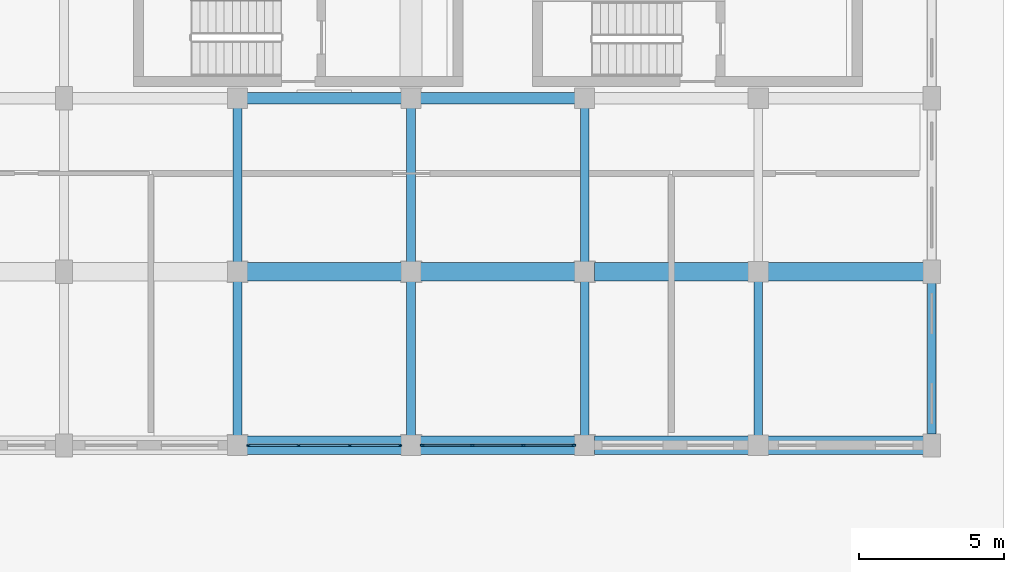
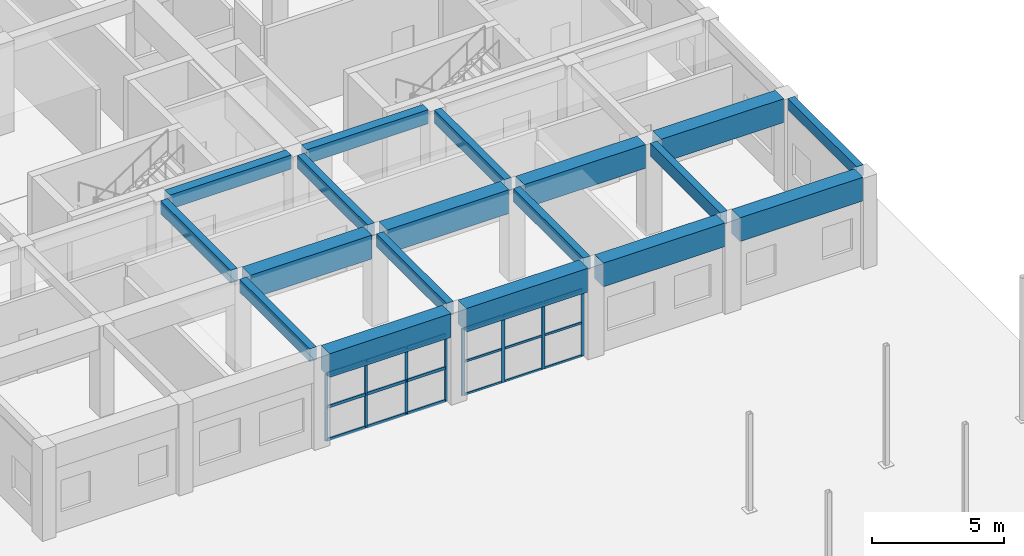
# One storey, part 37 of 76: 26 members, 18 beams, 2 elements without a shape of their own.
"""IFC4 building model written with IfcOpenShell, lengths in metres."""

from ifc_helpers import new_model, si_unit, direction, frame, origin, origin_2d, place, context, subcontext, project, spatial, rectangle, extrude, material, layer, layer_set, material_profile, profile_set, type_object, element, aggregate, save


model = new_model("IFC4")

# Units and contexts
model_context = context("Model", 3, precision=1e-05, world=origin(), true_north=direction((0.0, 1.0)))
body_context = subcontext(model_context, "Body", "Model", "MODEL_VIEW")
ifc_project = project(units=[si_unit("LENGTHUNIT", "METRE"), si_unit("AREAUNIT", "SQUARE_METRE"), si_unit("VOLUMEUNIT", "CUBIC_METRE"), si_unit("PLANEANGLEUNIT", "RADIAN"), si_unit("MASSUNIT", "GRAM", prefix="KILO"), si_unit("POWERUNIT", "WATT"), si_unit("THERMODYNAMICTEMPERATUREUNIT", "KELVIN")], contexts=[model_context])

# Site, building, storey
site_placement = place(None, origin())
site = spatial("IfcSite", under=ifc_project, at=site_placement, CompositionType="ELEMENT")
building_placement = place(site_placement, origin())
building = spatial("IfcBuilding", under=site, at=building_placement, Name="Ruvembo Vaulted Housing Court", CompositionType="ELEMENT")
storey_placement = place(building_placement, origin())
storey = spatial("IfcBuildingStorey", under=building, at=storey_placement, Name="L00", CompositionType="ELEMENT", Elevation=0.0)

# Beams
ifc_material_1 = material(Name="Concrete C35/45", Category="concrete")
ifc_material_profile_1 = material_profile(ifc_material_1, rectangle(XDim=0.300048828125, YDim=0.60009765625, at=origin_2d()), Name="RC 300x600")
ifc_profile_set_1 = profile_set([ifc_material_profile_1], Name="Concrete C35/45")
beam_type_1 = type_object("IfcBeamType", Name="BM-RC-300x600", PredefinedType="BEAM", material=ifc_profile_set_1)
for number, where, z_axis, x_axis, name in (
    (1, (162.0, 72.3349609375, 3.929931640625), (0.0, 1.0, 0.0), (-1.0, 0.0, 0.0), "L00 Grid Beam Y #1097"),
    (2, (162.0, 78.3349609375, 3.929931640625), (0.0, 1.0, 0.0), (-1.0, 0.0, 0.0), "L00 Grid Beam Y #1098"),
    (3, (168.0, 72.3349609375, 3.929931640625), (0.0, 1.0, 0.0), (-1.0, 0.0, 0.0), "L00 Grid Beam Y #1104"),
    (4, (168.0, 78.3349609375, 3.929931640625), (0.0, 1.0, 0.0), (-1.0, 0.0, 0.0), "L00 Grid Beam Y #1105"),
    (5, (174.0, 72.3349609375, 3.929931640625), (0.0, 1.0, 0.0), (-1.0, 0.0, 0.0), "L00 Grid Beam Y #1112"),
    (6, (174.0, 78.3349609375, 3.929931640625), (0.0, 1.0, 0.0), (-1.0, 0.0, 0.0), "L00 Grid Beam Y #1113"),
    (7, (180.0, 72.3349609375, 3.929931640625), (0.0, 1.0, 0.0), (-1.0, 0.0, 0.0), "L00 Grid Beam Y #1119"),
):
    element("IfcBeam", number, at=place(storey_placement, frame(where, z_axis=z_axis, x_axis=x_axis)), inside=storey, type_object=beam_type_1, Name=name, PredefinedType="BEAM", context=body_context, shape_type="SweptSolid", body=[
        extrude(rectangle(XDim=0.300048828125, YDim=0.60009765625, at=origin_2d()), origin(), (0.0, 0.0, 1.0), 5.330078125),
    ])
ifc_material_profile_2 = material_profile(ifc_material_1, rectangle(XDim=0.39990234375, YDim=0.64990234375, at=origin_2d()), Name="RC 400x650")
ifc_profile_set_2 = profile_set([ifc_material_profile_2], Name="Concrete C35/45")
beam_type_2 = type_object("IfcBeamType", Name="BM-RC-400x650", PredefinedType="BEAM", material=ifc_profile_set_2)
for number, where, z_axis, x_axis, name in (
    (8, (162.3349609375, 84.0, 3.905029296875), (1.0, 0.0, 0.0), (0.0, 1.0, 0.0), "L00 Grid Beam X #884"),
    (9, (168.3349609375, 84.0, 3.905029296875), (1.0, 0.0, 0.0), (0.0, 1.0, 0.0), "L00 Grid Beam X #885"),
):
    element("IfcBeam", number, at=place(storey_placement, frame(where, z_axis=z_axis, x_axis=x_axis)), inside=storey, type_object=beam_type_2, Name=name, PredefinedType="BEAM", context=body_context, shape_type="SweptSolid", body=[
        extrude(rectangle(XDim=0.39990234375, YDim=0.64990234375, at=origin_2d()), origin(), (0.0, 0.0, 1.0), 5.330078125),
    ])

# Curtain wall, members
ifc_material_2 = material(Name="Anodised Aluminium and Solar-Control Glass", Category="aluminium")
ifc_layer = layer(ifc_material_2, 0.159912109375, Name="Anodised Aluminium and Solar-Control Glass")
ifc_layer_set = layer_set([ifc_layer], Name="Anodised Aluminium and Solar-Control Glass")
curtain_wall_type = type_object("IfcCurtainWallType", Name="CW-LOBBY", PredefinedType="NOTDEFINED", material=ifc_layer_set)
curtain_wall_1_placement = place(storey_placement, origin())
curtain_wall_1 = element("IfcCurtainWall", 10, at=curtain_wall_1_placement, inside=storey, type_object=curtain_wall_type, Name="L00 Curtain Wall CW-L00-0007", PredefinedType="NOTDEFINED")
ifc_material_3 = material(Name="Anodised Aluminium 6063-T6", Category="aluminium")
ifc_material_profile_3 = material_profile(ifc_material_3, rectangle(XDim=0.054931640625, YDim=0.1201171875, at=origin_2d()), Name="ALU 55x120")
ifc_profile_set_3 = profile_set([ifc_material_profile_3], Name="Anodised Aluminium 6063-T6")
member_type_1 = type_object("IfcMemberType", Name="CW-MUL-55x120", PredefinedType="MULLION", material=ifc_profile_set_3)
member_1_placement = place(storey_placement, frame((162.37744140625, 72.0, 0.0), z_axis=(0.0, 0.0, 1.0), x_axis=(0.0, 1.0, 0.0)))
member_1 = element("IfcMember", 11, at=member_1_placement, type_object=member_type_1, Name="CW5 mullion 1", PredefinedType="MULLION", context=body_context, shape_type="SweptSolid", body=[
    extrude(rectangle(XDim=0.054931640625, YDim=0.1201171875, at=origin_2d()), origin(), (0.0, 0.0, 1.0), 3.112060546875),
])
member_2_placement = place(storey_placement, frame((164.11669921875, 72.0, 0.0), z_axis=(0.0, 0.0, 1.0), x_axis=(0.0, 1.0, 0.0)))
member_2 = element("IfcMember", 12, at=member_2_placement, type_object=member_type_1, Name="CW5 mullion 2", PredefinedType="MULLION", context=body_context, shape_type="SweptSolid", body=[
    extrude(rectangle(XDim=0.054931640625, YDim=0.1201171875, at=origin_2d()), origin(), (0.0, 0.0, 1.0), 3.112060546875),
])
member_3_placement = place(storey_placement, frame((165.88330078125, 72.0, 0.0), z_axis=(0.0, 0.0, 1.0), x_axis=(0.0, 1.0, 0.0)))
member_3 = element("IfcMember", 13, at=member_3_placement, type_object=member_type_1, Name="CW5 mullion 3", PredefinedType="MULLION", context=body_context, shape_type="SweptSolid", body=[
    extrude(rectangle(XDim=0.054931640625, YDim=0.1201171875, at=origin_2d()), origin(), (0.0, 0.0, 1.0), 3.112060546875),
])
member_4_placement = place(storey_placement, frame((167.62255859375, 72.0, 0.0), z_axis=(0.0, 0.0, 1.0), x_axis=(0.0, 1.0, 0.0)))
member_4 = element("IfcMember", 14, at=member_4_placement, type_object=member_type_1, Name="CW5 mullion 4", PredefinedType="MULLION", context=body_context, shape_type="SweptSolid", body=[
    extrude(rectangle(XDim=0.054931640625, YDim=0.1201171875, at=origin_2d()), origin(), (0.0, 0.0, 1.0), 3.112060546875),
])

curtain_wall_2_placement = place(storey_placement, origin())
curtain_wall_2 = element("IfcCurtainWall", 15, at=curtain_wall_2_placement, inside=storey, type_object=curtain_wall_type, Name="L00 Curtain Wall CW-L00-0008", PredefinedType="NOTDEFINED")
ifc_material_profile_4 = material_profile(ifc_material_3, rectangle(XDim=0.06005859375, YDim=0.139892578125, at=origin_2d()), Name="ALU 60x140")
ifc_profile_set_4 = profile_set([ifc_material_profile_4], Name="Anodised Aluminium 6063-T6")
member_type_2 = type_object("IfcMemberType", Name="CW-MUL-60x140", PredefinedType="MULLION", material=ifc_profile_set_4)
member_5_placement = place(storey_placement, frame((168.3798828125, 72.0, 0.0), z_axis=(0.0, 0.0, 1.0), x_axis=(0.0, 1.0, 0.0)))
member_5 = element("IfcMember", 16, at=member_5_placement, type_object=member_type_2, Name="CW5 mullion 1", PredefinedType="MULLION", context=body_context, shape_type="SweptSolid", body=[
    extrude(rectangle(XDim=0.06005859375, YDim=0.139892578125, at=origin_2d()), origin(), (0.0, 0.0, 1.0), 3.112060546875),
])
member_6_placement = place(storey_placement, frame((170.11669921875, 72.0, 0.0), z_axis=(0.0, 0.0, 1.0), x_axis=(0.0, 1.0, 0.0)))
member_6 = element("IfcMember", 17, at=member_6_placement, type_object=member_type_2, Name="CW5 mullion 2", PredefinedType="MULLION", context=body_context, shape_type="SweptSolid", body=[
    extrude(rectangle(XDim=0.06005859375, YDim=0.139892578125, at=origin_2d()), origin(), (0.0, 0.0, 1.0), 3.112060546875),
])
member_7_placement = place(storey_placement, frame((171.88330078125, 72.0, 0.0), z_axis=(0.0, 0.0, 1.0), x_axis=(0.0, 1.0, 0.0)))
member_7 = element("IfcMember", 18, at=member_7_placement, type_object=member_type_2, Name="CW5 mullion 3", PredefinedType="MULLION", context=body_context, shape_type="SweptSolid", body=[
    extrude(rectangle(XDim=0.06005859375, YDim=0.139892578125, at=origin_2d()), origin(), (0.0, 0.0, 1.0), 3.112060546875),
])
member_8_placement = place(storey_placement, frame((173.6201171875, 72.0, 0.0), z_axis=(0.0, 0.0, 1.0), x_axis=(0.0, 1.0, 0.0)))
member_8 = element("IfcMember", 19, at=member_8_placement, type_object=member_type_2, Name="CW5 mullion 4", PredefinedType="MULLION", context=body_context, shape_type="SweptSolid", body=[
    extrude(rectangle(XDim=0.06005859375, YDim=0.139892578125, at=origin_2d()), origin(), (0.0, 0.0, 1.0), 3.112060546875),
])
ifc_material_profile_5 = material_profile(ifc_material_3, rectangle(XDim=0.06005859375, YDim=0.10009765625, at=origin_2d()), Name="ALU 60x100")
ifc_profile_set_5 = profile_set([ifc_material_profile_5], Name="Anodised Aluminium 6063-T6")
member_type_3 = type_object("IfcMemberType", Name="CW-TRN-60x100", PredefinedType="USERDEFINED", material=ifc_profile_set_5)
member_9_placement = place(storey_placement, frame((168.409912109375, 72.0, 0.030029296875), z_axis=(1.0, 0.0, 0.0), x_axis=(0.0, 1.0, 0.0)))
member_9 = element("IfcMember", 20, at=member_9_placement, type_object=member_type_3, Name="CW5 transom 1.1", ObjectType="TRANSOM", PredefinedType="USERDEFINED", context=body_context, shape_type="SweptSolid", body=[
    extrude(rectangle(XDim=0.06005859375, YDim=0.10009765625, at=origin_2d()), origin(), (0.0, 0.0, 1.0), 1.6767578125),
])
member_10_placement = place(storey_placement, frame((168.409912109375, 72.0, 1.555908203125), z_axis=(1.0, 0.0, 0.0), x_axis=(0.0, 1.0, 0.0)))
member_10 = element("IfcMember", 21, at=member_10_placement, type_object=member_type_3, Name="CW5 transom 1.2", ObjectType="TRANSOM", PredefinedType="USERDEFINED", context=body_context, shape_type="SweptSolid", body=[
    extrude(rectangle(XDim=0.06005859375, YDim=0.10009765625, at=origin_2d()), origin(), (0.0, 0.0, 1.0), 1.6767578125),
])
member_11_placement = place(storey_placement, frame((168.409912109375, 72.0, 3.08203125), z_axis=(1.0, 0.0, 0.0), x_axis=(0.0, 1.0, 0.0)))
member_11 = element("IfcMember", 22, at=member_11_placement, type_object=member_type_3, Name="CW5 transom 1.3", ObjectType="TRANSOM", PredefinedType="USERDEFINED", context=body_context, shape_type="SweptSolid", body=[
    extrude(rectangle(XDim=0.06005859375, YDim=0.10009765625, at=origin_2d()), origin(), (0.0, 0.0, 1.0), 1.6767578125),
])
member_12_placement = place(storey_placement, frame((170.146728515625, 72.0, 0.030029296875), z_axis=(1.0, 0.0, 0.0), x_axis=(0.0, 1.0, 0.0)))
member_12 = element("IfcMember", 23, at=member_12_placement, type_object=member_type_3, Name="CW5 transom 2.1", ObjectType="TRANSOM", PredefinedType="USERDEFINED", context=body_context, shape_type="SweptSolid", body=[
    extrude(rectangle(XDim=0.06005859375, YDim=0.10009765625, at=origin_2d()), origin(), (0.0, 0.0, 1.0), 1.70654296875),
])
member_13_placement = place(storey_placement, frame((170.146728515625, 72.0, 1.555908203125), z_axis=(1.0, 0.0, 0.0), x_axis=(0.0, 1.0, 0.0)))
member_13 = element("IfcMember", 24, at=member_13_placement, type_object=member_type_3, Name="CW5 transom 2.2", ObjectType="TRANSOM", PredefinedType="USERDEFINED", context=body_context, shape_type="SweptSolid", body=[
    extrude(rectangle(XDim=0.06005859375, YDim=0.10009765625, at=origin_2d()), origin(), (0.0, 0.0, 1.0), 1.70654296875),
])
member_14_placement = place(storey_placement, frame((170.146728515625, 72.0, 3.08203125), z_axis=(1.0, 0.0, 0.0), x_axis=(0.0, 1.0, 0.0)))
member_14 = element("IfcMember", 25, at=member_14_placement, type_object=member_type_3, Name="CW5 transom 2.3", ObjectType="TRANSOM", PredefinedType="USERDEFINED", context=body_context, shape_type="SweptSolid", body=[
    extrude(rectangle(XDim=0.06005859375, YDim=0.10009765625, at=origin_2d()), origin(), (0.0, 0.0, 1.0), 1.70654296875),
])
member_15_placement = place(storey_placement, frame((171.913330078125, 72.0, 0.030029296875), z_axis=(1.0, 0.0, 0.0), x_axis=(0.0, 1.0, 0.0)))
member_15 = element("IfcMember", 26, at=member_15_placement, type_object=member_type_3, Name="CW5 transom 3.1", ObjectType="TRANSOM", PredefinedType="USERDEFINED", context=body_context, shape_type="SweptSolid", body=[
    extrude(rectangle(XDim=0.06005859375, YDim=0.10009765625, at=origin_2d()), origin(), (0.0, 0.0, 1.0), 1.6767578125),
])
member_16_placement = place(storey_placement, frame((171.913330078125, 72.0, 1.555908203125), z_axis=(1.0, 0.0, 0.0), x_axis=(0.0, 1.0, 0.0)))
member_16 = element("IfcMember", 27, at=member_16_placement, type_object=member_type_3, Name="CW5 transom 3.2", ObjectType="TRANSOM", PredefinedType="USERDEFINED", context=body_context, shape_type="SweptSolid", body=[
    extrude(rectangle(XDim=0.06005859375, YDim=0.10009765625, at=origin_2d()), origin(), (0.0, 0.0, 1.0), 1.6767578125),
])
member_17_placement = place(storey_placement, frame((171.913330078125, 72.0, 3.08203125), z_axis=(1.0, 0.0, 0.0), x_axis=(0.0, 1.0, 0.0)))
member_17 = element("IfcMember", 28, at=member_17_placement, type_object=member_type_3, Name="CW5 transom 3.3", ObjectType="TRANSOM", PredefinedType="USERDEFINED", context=body_context, shape_type="SweptSolid", body=[
    extrude(rectangle(XDim=0.06005859375, YDim=0.10009765625, at=origin_2d()), origin(), (0.0, 0.0, 1.0), 1.6767578125),
])
aggregate(curtain_wall_2, [member_5, member_6, member_7, member_8, member_9, member_10, member_11, member_12, member_13, member_14, member_15, member_16, member_17])

# Member
ifc_material_profile_6 = material_profile(ifc_material_3, rectangle(XDim=0.06494140625, YDim=0.135009765625, at=origin_2d()), Name="ALU 65x135")
ifc_profile_set_6 = profile_set([ifc_material_profile_6], Name="Anodised Aluminium 6063-T6")
member_type_4 = type_object("IfcMemberType", Name="CW-TRN-65x135", PredefinedType="USERDEFINED", material=ifc_profile_set_6)
member_18_placement = place(storey_placement, frame((162.405029296875, 72.0, 0.032470703125), z_axis=(1.0, 0.0, 0.0), x_axis=(0.0, 1.0, 0.0)))
member_18 = element("IfcMember", 29, at=member_18_placement, type_object=member_type_4, Name="CW5 transom 1.1", ObjectType="TRANSOM", PredefinedType="USERDEFINED", context=body_context, shape_type="SweptSolid", body=[
    extrude(rectangle(XDim=0.06494140625, YDim=0.135009765625, at=origin_2d()), origin(), (0.0, 0.0, 1.0), 1.68408203125),
])

member_19_placement = place(storey_placement, frame((162.405029296875, 72.0, 1.555908203125), z_axis=(1.0, 0.0, 0.0), x_axis=(0.0, 1.0, 0.0)))
member_19 = element("IfcMember", 30, at=member_19_placement, type_object=member_type_4, Name="CW5 transom 1.2", ObjectType="TRANSOM", PredefinedType="USERDEFINED", context=body_context, shape_type="SweptSolid", body=[
    extrude(rectangle(XDim=0.06494140625, YDim=0.135009765625, at=origin_2d()), origin(), (0.0, 0.0, 1.0), 1.68408203125),
])

member_20_placement = place(storey_placement, frame((162.405029296875, 72.0, 3.07958984375), z_axis=(1.0, 0.0, 0.0), x_axis=(0.0, 1.0, 0.0)))
member_20 = element("IfcMember", 31, at=member_20_placement, type_object=member_type_4, Name="CW5 transom 1.3", ObjectType="TRANSOM", PredefinedType="USERDEFINED", context=body_context, shape_type="SweptSolid", body=[
    extrude(rectangle(XDim=0.06494140625, YDim=0.135009765625, at=origin_2d()), origin(), (0.0, 0.0, 1.0), 1.68408203125),
])

member_21_placement = place(storey_placement, frame((164.144287109375, 72.0, 0.032470703125), z_axis=(1.0, 0.0, 0.0), x_axis=(0.0, 1.0, 0.0)))
member_21 = element("IfcMember", 32, at=member_21_placement, type_object=member_type_4, Name="CW5 transom 2.1", ObjectType="TRANSOM", PredefinedType="USERDEFINED", context=body_context, shape_type="SweptSolid", body=[
    extrude(rectangle(XDim=0.06494140625, YDim=0.135009765625, at=origin_2d()), origin(), (0.0, 0.0, 1.0), 1.71142578125),
])

member_22_placement = place(storey_placement, frame((164.144287109375, 72.0, 1.555908203125), z_axis=(1.0, 0.0, 0.0), x_axis=(0.0, 1.0, 0.0)))
member_22 = element("IfcMember", 33, at=member_22_placement, type_object=member_type_4, Name="CW5 transom 2.2", ObjectType="TRANSOM", PredefinedType="USERDEFINED", context=body_context, shape_type="SweptSolid", body=[
    extrude(rectangle(XDim=0.06494140625, YDim=0.135009765625, at=origin_2d()), origin(), (0.0, 0.0, 1.0), 1.71142578125),
])

member_23_placement = place(storey_placement, frame((164.144287109375, 72.0, 3.07958984375), z_axis=(1.0, 0.0, 0.0), x_axis=(0.0, 1.0, 0.0)))
member_23 = element("IfcMember", 34, at=member_23_placement, type_object=member_type_4, Name="CW5 transom 2.3", ObjectType="TRANSOM", PredefinedType="USERDEFINED", context=body_context, shape_type="SweptSolid", body=[
    extrude(rectangle(XDim=0.06494140625, YDim=0.135009765625, at=origin_2d()), origin(), (0.0, 0.0, 1.0), 1.71142578125),
])

member_24_placement = place(storey_placement, frame((165.910888671875, 72.0, 0.032470703125), z_axis=(1.0, 0.0, 0.0), x_axis=(0.0, 1.0, 0.0)))
member_24 = element("IfcMember", 35, at=member_24_placement, type_object=member_type_4, Name="CW5 transom 3.1", ObjectType="TRANSOM", PredefinedType="USERDEFINED", context=body_context, shape_type="SweptSolid", body=[
    extrude(rectangle(XDim=0.06494140625, YDim=0.135009765625, at=origin_2d()), origin(), (0.0, 0.0, 1.0), 1.68408203125),
])

member_25_placement = place(storey_placement, frame((165.910888671875, 72.0, 1.555908203125), z_axis=(1.0, 0.0, 0.0), x_axis=(0.0, 1.0, 0.0)))
member_25 = element("IfcMember", 36, at=member_25_placement, type_object=member_type_4, Name="CW5 transom 3.2", ObjectType="TRANSOM", PredefinedType="USERDEFINED", context=body_context, shape_type="SweptSolid", body=[
    extrude(rectangle(XDim=0.06494140625, YDim=0.135009765625, at=origin_2d()), origin(), (0.0, 0.0, 1.0), 1.68408203125),
])

member_26_placement = place(storey_placement, frame((165.910888671875, 72.0, 3.07958984375), z_axis=(1.0, 0.0, 0.0), x_axis=(0.0, 1.0, 0.0)))
member_26 = element("IfcMember", 37, at=member_26_placement, type_object=member_type_4, Name="CW5 transom 3.3", ObjectType="TRANSOM", PredefinedType="USERDEFINED", context=body_context, shape_type="SweptSolid", body=[
    extrude(rectangle(XDim=0.06494140625, YDim=0.135009765625, at=origin_2d()), origin(), (0.0, 0.0, 1.0), 1.68408203125),
])

aggregate(curtain_wall_1, [member_1, member_2, member_3, member_4, member_18, member_19, member_20, member_21, member_22, member_23, member_24, member_25, member_26])

# Beams
ifc_material_profile_7 = material_profile(ifc_material_1, rectangle(XDim=0.300048828125, YDim=0.5, at=origin_2d()), Name="RC 300x500")
ifc_profile_set_7 = profile_set([ifc_material_profile_7], Name="Concrete C35/45")
beam_type_3 = type_object("IfcBeamType", Name="SP-RC-300x500", PredefinedType="SPANDREL", material=ifc_profile_set_7)
beam_1_placement = place(storey_placement, frame((186.0, 72.385009765625, 3.97998046875), z_axis=(0.0, 1.0, 0.0), x_axis=(-1.0, 0.0, 0.0)))
element("IfcBeam", 38, at=beam_1_placement, inside=storey, type_object=beam_type_3, Name="L00 Grid Beam Y #1126", PredefinedType="SPANDREL", context=body_context, shape_type="SweptSolid", body=[
    extrude(rectangle(XDim=0.300048828125, YDim=0.5, at=origin_2d()), origin(), (0.0, 0.0, 1.0), 5.22998046875),
])
ifc_material_4 = material(Name="Concrete C40/50", Category="concrete")
ifc_material_profile_8 = material_profile(ifc_material_4, rectangle(XDim=0.64990234375, YDim=1.10009765625, at=origin_2d()), Name="RC 650x1100")
ifc_profile_set_8 = profile_set([ifc_material_profile_8], Name="Concrete C40/50")
beam_type_4 = type_object("IfcBeamType", Name="TB-RC-650x1100", PredefinedType="BEAM", material=ifc_profile_set_8)
for number, where, z_axis, x_axis, name in (
    (39, (162.3349609375, 72.0, 3.679931640625), (1.0, 0.0, 0.0), (0.0, 1.0, 0.0), "L00 Grid Beam X #854"),
    (40, (168.3349609375, 72.0, 3.679931640625), (1.0, 0.0, 0.0), (0.0, 1.0, 0.0), "L00 Grid Beam X #855"),
    (41, (174.3349609375, 72.0, 3.679931640625), (1.0, 0.0, 0.0), (0.0, 1.0, 0.0), "L00 Grid Beam X #856"),
):
    element("IfcBeam", number, at=place(storey_placement, frame(where, z_axis=z_axis, x_axis=x_axis)), inside=storey, type_object=beam_type_4, Name=name, PredefinedType="BEAM", context=body_context, shape_type="SweptSolid", body=[
        extrude(rectangle(XDim=0.64990234375, YDim=1.10009765625, at=origin_2d()), origin(), (0.0, 0.0, 1.0), 5.330078125),
    ])
beam_2_placement = place(storey_placement, frame((180.3349609375, 72.0, 3.679931640625), z_axis=(1.0, 0.0, 0.0), x_axis=(0.0, 1.0, 0.0)))
element("IfcBeam", 42, at=beam_2_placement, inside=storey, type_object=beam_type_4, Name="L00 Grid Beam X #857", PredefinedType="BEAM", context=body_context, shape_type="SweptSolid", body=[
    extrude(rectangle(XDim=0.64990234375, YDim=1.10009765625, at=origin_2d()), origin(), (0.0, 0.0, 1.0), 5.380126953125),
])
for number, where, z_axis, x_axis, name in (
    (43, (162.3349609375, 78.0, 3.679931640625), (1.0, 0.0, 0.0), (0.0, 1.0, 0.0), "L00 Grid Beam X #866"),
    (44, (168.3349609375, 78.0, 3.679931640625), (1.0, 0.0, 0.0), (0.0, 1.0, 0.0), "L00 Grid Beam X #867"),
    (45, (174.3349609375, 78.0, 3.679931640625), (1.0, 0.0, 0.0), (0.0, 1.0, 0.0), "L00 Grid Beam X #868"),
):
    element("IfcBeam", number, at=place(storey_placement, frame(where, z_axis=z_axis, x_axis=x_axis)), inside=storey, type_object=beam_type_4, Name=name, PredefinedType="BEAM", context=body_context, shape_type="SweptSolid", body=[
        extrude(rectangle(XDim=0.64990234375, YDim=1.10009765625, at=origin_2d()), origin(), (0.0, 0.0, 1.0), 5.330078125),
    ])
beam_3_placement = place(storey_placement, frame((180.3349609375, 78.0, 3.679931640625), z_axis=(1.0, 0.0, 0.0), x_axis=(0.0, 1.0, 0.0)))
element("IfcBeam", 46, at=beam_3_placement, inside=storey, type_object=beam_type_4, Name="L00 Grid Beam X #869", PredefinedType="BEAM", context=body_context, shape_type="SweptSolid", body=[
    extrude(rectangle(XDim=0.64990234375, YDim=1.10009765625, at=origin_2d()), origin(), (0.0, 0.0, 1.0), 5.380126953125),
])

save(model, "model.ifc")
